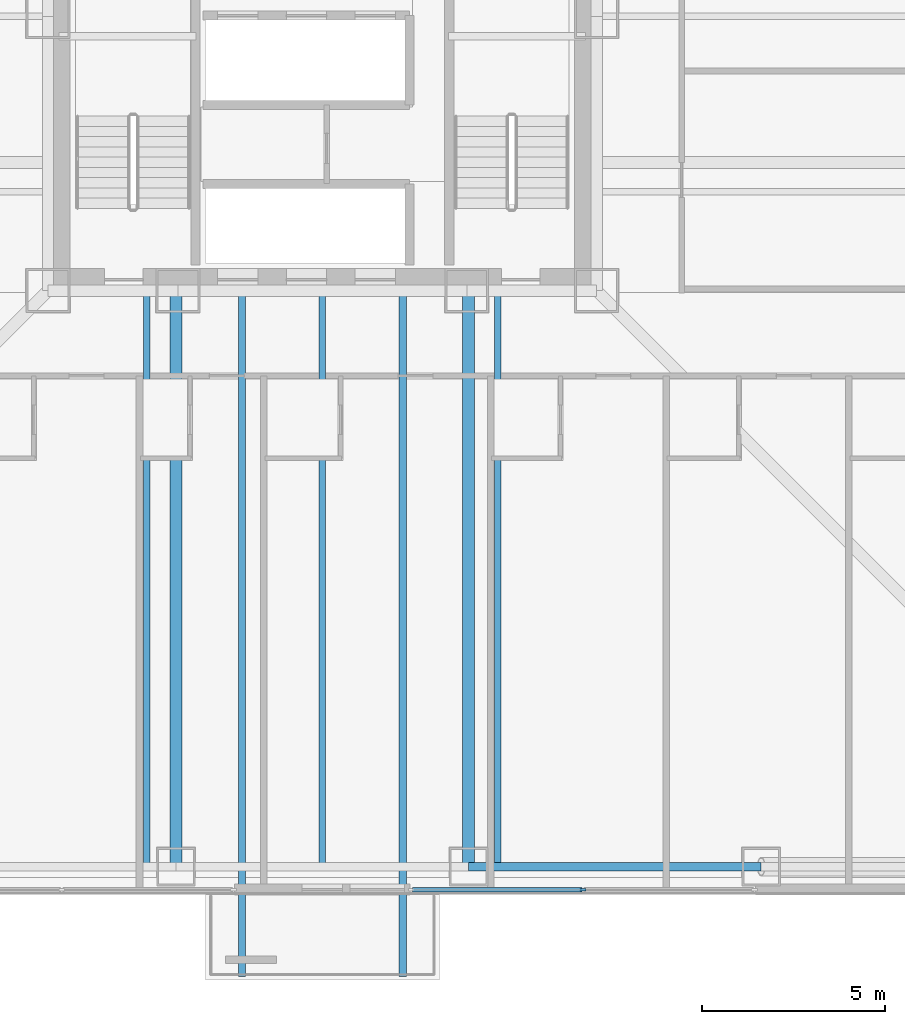
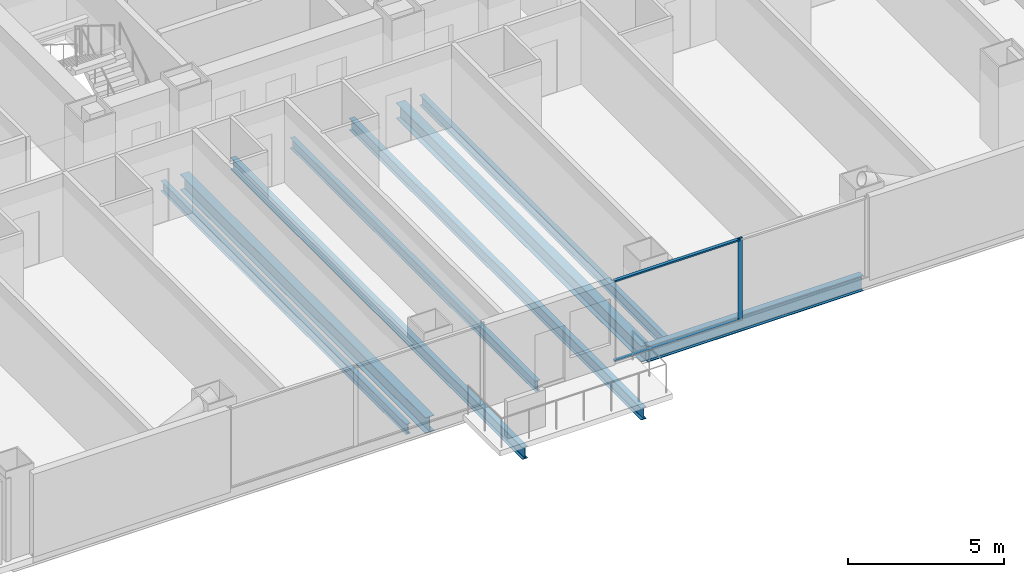
# One storey, part 3 of 16: 8 beams, 3 members, 1 element without a shape of its own.
"""IFC4 building model written with IfcOpenShell, lengths in metres."""

from ifc_helpers import new_model, si_unit, direction, frame, origin, origin_2d, place, context, subcontext, project, spatial, rectangle, i_section, extrude, material, layer, layer_set, material_profile, profile_set, type_object, element, aggregate, save


model = new_model("IFC4")

# Units and contexts
model_context = context("Model", 3, precision=1e-05, world=origin(), true_north=direction((0.0, 1.0)))
body_context = subcontext(model_context, "Body", "Model", "MODEL_VIEW")
ifc_project = project(units=[si_unit("LENGTHUNIT", "METRE"), si_unit("AREAUNIT", "SQUARE_METRE"), si_unit("VOLUMEUNIT", "CUBIC_METRE"), si_unit("PLANEANGLEUNIT", "RADIAN"), si_unit("MASSUNIT", "GRAM", prefix="KILO")], contexts=[model_context])

# Site, building, storey
site_placement = place(None, origin())
site = spatial("IfcSite", under=ifc_project, at=site_placement, CompositionType="ELEMENT")
building_placement = place(site_placement, origin())
building = spatial("IfcBuilding", under=site, at=building_placement, Name="Trevonay Congress Spire", CompositionType="ELEMENT")
storey_placement = place(building_placement, frame((0.0, 0.0, 65.5)))
storey = spatial("IfcBuildingStorey", under=building, at=storey_placement, Name="L16", CompositionType="ELEMENT", Elevation=65.5)

# Beams
ifc_material_1 = material(Name="Steel ASTM A572 Grade 50", Category="steel")
ifc_material_profile_1 = material_profile(ifc_material_1, i_section(OverallWidth=0.194091796875, OverallDepth=0.468994140625, WebThickness=0.011474609375, FlangeThickness=0.01953125, FilletRadius=0.013916015625, at=origin_2d()), Name="W460x106")
ifc_profile_set_1 = profile_set([ifc_material_profile_1], Name="Steel ASTM A572 Grade 50")
beam_type_1 = type_object("IfcBeamType", Name="BM-BAL-LOOKOUT", PredefinedType="BEAM", material=ifc_profile_set_1)
for number, where, z_axis, x_axis, name in (
    (1, (-2.199951171875, -7.5, -0.484619140625), (0.0, -1.0, 0.0), (1.0, 0.0, 0.0), "L16 structural beam LKT-L16-S1"),
    (2, (2.199951171875, -7.5, -0.484619140625), (0.0, -1.0, 0.0), (1.0, 0.0, 0.0), "L16 structural beam LKT-L16-S2"),
):
    element("IfcBeam", number, at=place(storey_placement, frame(where, z_axis=z_axis, x_axis=x_axis)), inside=storey, type_object=beam_type_1, Name=name, PredefinedType="BEAM", context=body_context, shape_type="SweptSolid", body=[
        extrude(i_section(OverallWidth=0.194091796875, OverallDepth=0.468994140625, WebThickness=0.011474609375, FlangeThickness=0.01953125, FilletRadius=0.013916015625, at=origin_2d()), origin(), (0.0, 0.0, 1.0), 18.75),
    ])
ifc_material_profile_2 = material_profile(ifc_material_1, i_section(OverallWidth=0.324951171875, OverallDepth=0.615966796875, WebThickness=0.013916015625, FlangeThickness=0.021484375, FilletRadius=0.01806640625, at=origin_2d()), Name="W610x174")
ifc_profile_set_2 = profile_set([ifc_material_profile_2], Name="Steel ASTM A572 Grade 50")
beam_type_2 = type_object("IfcBeamType", Name="BM-GIRD-W610X174", PredefinedType="BEAM", material=ifc_profile_set_2)
for number, where, z_axis, x_axis, name in (
    (3, (-4.0, -7.5, -0.55810546875), (0.0, -1.0, 0.0), (1.0, 0.0, 0.0), "L16 structural beam BM-L16-GS-M"),
    (4, (4.0, -7.5, -0.55810546875), (0.0, -1.0, 0.0), (1.0, 0.0, 0.0), "L16 structural beam BM-L16-GS-P"),
):
    element("IfcBeam", number, at=place(storey_placement, frame(where, z_axis=z_axis, x_axis=x_axis)), inside=storey, type_object=beam_type_2, Name=name, PredefinedType="BEAM", context=body_context, shape_type="SweptSolid", body=[
        extrude(i_section(OverallWidth=0.324951171875, OverallDepth=0.615966796875, WebThickness=0.013916015625, FlangeThickness=0.021484375, FilletRadius=0.01806640625, at=origin_2d()), origin(), (0.0, 0.0, 1.0), 15.75),
    ])
ifc_material_profile_3 = material_profile(ifc_material_1, i_section(OverallWidth=0.22998046875, OverallDepth=0.616943359375, WebThickness=0.01318359375, FlangeThickness=0.022216796875, FilletRadius=0.01611328125, at=origin_2d()), Name="W610x140")
ifc_profile_set_3 = profile_set([ifc_material_profile_3], Name="Steel ASTM A572 Grade 50")
beam_type_3 = type_object("IfcBeamType", Name="BM-RING-W610X140", PredefinedType="BEAM", material=ifc_profile_set_3)
beam_placement = place(storey_placement, frame((4.0, -23.25, -0.55859375), z_axis=(1.0, 0.0, 0.0), x_axis=(0.0, 1.0, 0.0)))
element("IfcBeam", 5, at=beam_placement, inside=storey, type_object=beam_type_3, Name="L16 structural beam BM-L16-PS4", PredefinedType="BEAM", context=body_context, shape_type="SweptSolid", body=[
    extrude(i_section(OverallWidth=0.22998046875, OverallDepth=0.616943359375, WebThickness=0.01318359375, FlangeThickness=0.022216796875, FilletRadius=0.01611328125, at=origin_2d()), origin(), (0.0, 0.0, 1.0), 8.0),
])

# Curtain wall, members
ifc_material_2 = material(Name="Pale Anodised Aluminium EN AW-6063-T6", Category="aluminium")
ifc_layer = layer(ifc_material_2, 0.179931640625, Name="Pale Anodised Aluminium EN AW-6063-T6")
ifc_layer_set = layer_set([ifc_layer], Name="Pale Anodised Aluminium EN AW-6063-T6")
curtain_wall_type = type_object("IfcCurtainWallType", Name="CW-SYS02-HOTEL-PALE-METAL", PredefinedType="NOTDEFINED", material=ifc_layer_set)
curtain_wall_placement = place(storey_placement, origin())
curtain_wall = element("IfcCurtainWall", 6, at=curtain_wall_placement, inside=storey, type_object=curtain_wall_type, Name="L16 SB unitised curtain wall", PredefinedType="NOTDEFINED")
ifc_material_profile_4 = material_profile(ifc_material_2, rectangle(XDim=0.06005859375, YDim=0.159912109375, at=origin_2d()), Name="CW-MULLION-160-ALUMINIUM")
ifc_profile_set_4 = profile_set([ifc_material_profile_4], Name="Pale Anodised Aluminium EN AW-6063-T6")
member_type_1 = type_object("IfcMemberType", Name="CW-MULLION-160-ALUMINIUM", PredefinedType="MULLION", material=ifc_profile_set_4)
member_1_placement = place(storey_placement, frame((7.125, -23.8798828125, 0.0), z_axis=(0.0, 0.0, 1.0), x_axis=(0.0, 1.0, 0.0)))
member_1 = element("IfcMember", 7, at=member_1_placement, type_object=member_type_1, Name="CW02 mullion 2", PredefinedType="MULLION", context=body_context, shape_type="SweptSolid", body=[
    extrude(rectangle(XDim=0.06005859375, YDim=0.159912109375, at=origin_2d()), origin(), (0.0, 0.0, 1.0), 3.25),
])
ifc_material_profile_5 = material_profile(ifc_material_2, rectangle(XDim=0.1201171875, YDim=0.06005859375, at=origin_2d()), Name="CW-TRANSOM-120-ALUMINIUM")
ifc_profile_set_5 = profile_set([ifc_material_profile_5], Name="Pale Anodised Aluminium EN AW-6063-T6")
member_type_2 = type_object("IfcMemberType", Name="CW-TRANSOM-120-ALUMINIUM", PredefinedType="USERDEFINED", material=ifc_profile_set_5)
member_2_placement = place(storey_placement, frame((2.4599609375, -23.8798828125, 0.06005859375), z_axis=(1.0, 0.0, 0.0), x_axis=(0.0, 1.0, 0.0)))
member_2 = element("IfcMember", 8, at=member_2_placement, type_object=member_type_2, Name="CW02 transom 1.1", ObjectType="TRANSOM", PredefinedType="USERDEFINED", context=body_context, shape_type="SweptSolid", body=[
    extrude(rectangle(XDim=0.1201171875, YDim=0.06005859375, at=origin_2d()), origin(), (0.0, 0.0, 1.0), 4.635009765625),
])
member_3_placement = place(storey_placement, frame((2.4599609375, -23.8798828125, 3.18994140625), z_axis=(1.0, 0.0, 0.0), x_axis=(0.0, 1.0, 0.0)))
member_3 = element("IfcMember", 9, at=member_3_placement, type_object=member_type_2, Name="CW02 transom 1.2", ObjectType="TRANSOM", PredefinedType="USERDEFINED", context=body_context, shape_type="SweptSolid", body=[
    extrude(rectangle(XDim=0.1201171875, YDim=0.06005859375, at=origin_2d()), origin(), (0.0, 0.0, 1.0), 4.635009765625),
])
aggregate(curtain_wall, [member_1, member_2, member_3])

# Beams
ifc_material_profile_6 = material_profile(ifc_material_1, i_section(OverallWidth=0.177978515625, OverallDepth=0.406982421875, WebThickness=0.0078125, FlangeThickness=0.0126953125, FilletRadius=0.012939453125, at=origin_2d()), Name="W410x60")
ifc_profile_set_6 = profile_set([ifc_material_profile_6], Name="Steel ASTM A572 Grade 50")
beam_type_4 = type_object("IfcBeamType", Name="JS-COMP-W410X60", PredefinedType="JOIST", material=ifc_profile_set_6)
for number, where, z_axis, x_axis, name in (
    (10, (-4.800048828125, -23.25, -0.45361328125), (0.0, 1.0, 0.0), (-1.0, 0.0, 0.0), "L16 structural beam JS-L16-NS-S1"),
    (11, (0.0, -23.25, -0.45361328125), (0.0, 1.0, 0.0), (-1.0, 0.0, 0.0), "L16 structural beam JS-L16-NS-S2"),
    (12, (4.800048828125, -23.25, -0.45361328125), (0.0, 1.0, 0.0), (-1.0, 0.0, 0.0), "L16 structural beam JS-L16-NS-S3"),
):
    element("IfcBeam", number, at=place(storey_placement, frame(where, z_axis=z_axis, x_axis=x_axis)), inside=storey, type_object=beam_type_4, Name=name, PredefinedType="JOIST", context=body_context, shape_type="SweptSolid", body=[
        extrude(i_section(OverallWidth=0.177978515625, OverallDepth=0.406982421875, WebThickness=0.0078125, FlangeThickness=0.0126953125, FilletRadius=0.012939453125, at=origin_2d()), origin(), (0.0, 0.0, 1.0), 15.75),
    ])

save(model, "model.ifc")
